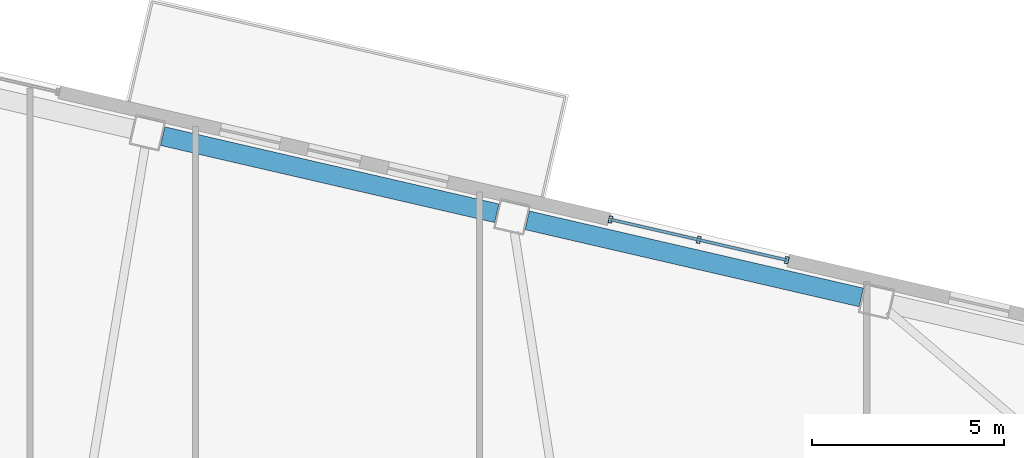
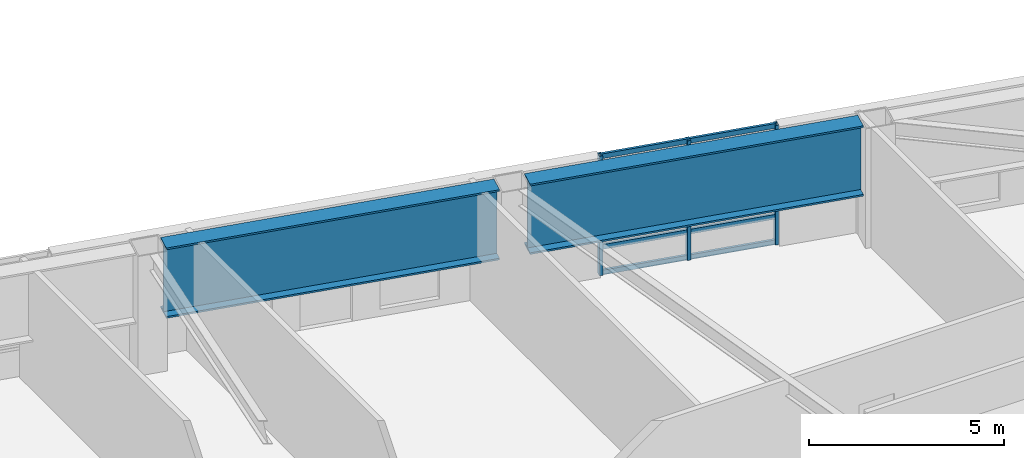
# One storey, part 7 of 20: 6 members, 2 beams, 1 element without a shape of its own.
"""IFC4 building model written with IfcOpenShell, lengths in metres."""

from ifc_helpers import new_model, si_unit, direction, frame, origin, origin_2d, place, context, subcontext, project, spatial, hollow_rectangle, i_section, extrude, material, layer, layer_set, material_profile, profile_set, type_object, element, aggregate, save


model = new_model("IFC4")

# Units and contexts
model_context = context("Model", 3, precision=1e-05, world=origin(), true_north=direction((0.0, 1.0)))
body_context = subcontext(model_context, "Body", "Model", "MODEL_VIEW")
ifc_project = project(units=[si_unit("LENGTHUNIT", "METRE"), si_unit("AREAUNIT", "SQUARE_METRE"), si_unit("VOLUMEUNIT", "CUBIC_METRE"), si_unit("PLANEANGLEUNIT", "RADIAN"), si_unit("MASSUNIT", "GRAM", prefix="KILO")], contexts=[model_context])

# Site, building, storey
site_placement = place(None, origin())
site = spatial("IfcSite", under=ifc_project, at=site_placement, CompositionType="ELEMENT")
building_placement = place(site_placement, origin())
building = spatial("IfcBuilding", under=site, at=building_placement, Name="Tavrogorsk Clinical Tower", CompositionType="ELEMENT")
storey_placement = place(building_placement, frame((0.0, 0.0, 39.39990234375)))
storey = spatial("IfcBuildingStorey", under=building, at=storey_placement, Name="L07", CompositionType="ELEMENT", Elevation=39.39990234375)

# Curtain wall, members
ifc_material_1 = material(Name="Anodised aluminium and triple IGU glazing", Category="aluminium")
ifc_layer = layer(ifc_material_1, 0.179931640625)
ifc_layer_set = layer_set([ifc_layer], Name="Anodised aluminium and triple IGU glazing")
curtain_wall_type = type_object("IfcCurtainWallType", Name="CW2_NorthSlot", PredefinedType="NOTDEFINED", material=ifc_layer_set)
curtain_wall_placement = place(storey_placement, origin())
curtain_wall = element("IfcCurtainWall", 1, at=curtain_wall_placement, inside=storey, type_object=curtain_wall_type, Name="L07 Curtain Wall CW-L07-N-SLOT-2", PredefinedType="NOTDEFINED")
ifc_material_2 = material(Name="Anodised aluminium alloy AW-6060", Category="aluminium")
ifc_material_profile_1 = material_profile(ifc_material_2, hollow_rectangle(XDim=0.090087890625, YDim=0.179931640625, WallThickness=0.00634765625, at=origin_2d()), Name="RHS-180x90x6.3")
ifc_profile_set_1 = profile_set([ifc_material_profile_1], Name="Anodised aluminium alloy AW-6060")
member_type_1 = type_object("IfcMemberType", Name="CwMullion_180x90", PredefinedType="MULLION", material=ifc_profile_set_1)
member_1_placement = place(storey_placement, frame((15.117919921875, 20.254638671875, 0.0), z_axis=(0.0, 0.0, 1.0), x_axis=(-0.974370046851, 0.224951132027, 0.0)))
member_1 = element("IfcMember", 2, at=member_1_placement, type_object=member_type_1, Name="CW-L07-N-SLOT-2 Mullion 1", PredefinedType="MULLION", context=body_context, shape_type="SweptSolid", body=[
    extrude(hollow_rectangle(XDim=0.090087890625, YDim=0.179931640625, WallThickness=0.00634765625, at=origin_2d()), origin(), (0.0, 0.0, 1.0), 3.739990234375),
])
member_2_placement = place(storey_placement, frame((12.8193359375, 20.78515625, 0.0), z_axis=(0.0, 0.0, 1.0), x_axis=(-0.974370046851, 0.224951132027, 0.0)))
member_2 = element("IfcMember", 3, at=member_2_placement, type_object=member_type_1, Name="CW-L07-N-SLOT-2 Mullion 2", PredefinedType="MULLION", context=body_context, shape_type="SweptSolid", body=[
    extrude(hollow_rectangle(XDim=0.090087890625, YDim=0.179931640625, WallThickness=0.00634765625, at=origin_2d()), origin(), (0.0, 0.0, 1.0), 3.739990234375),
])
member_3_placement = place(storey_placement, frame((10.520751953125, 21.31591796875, 0.0), z_axis=(0.0, 0.0, 1.0), x_axis=(-0.974370046851, 0.224951132027, 0.0)))
member_3 = element("IfcMember", 4, at=member_3_placement, type_object=member_type_1, Name="CW-L07-N-SLOT-2 Mullion 3", PredefinedType="MULLION", context=body_context, shape_type="SweptSolid", body=[
    extrude(hollow_rectangle(XDim=0.090087890625, YDim=0.179931640625, WallThickness=0.00634765625, at=origin_2d()), origin(), (0.0, 0.0, 1.0), 3.739990234375),
])
ifc_material_3 = material(Name="Anodised aluminium alloy AW-6060", Category="aluminium")
ifc_material_profile_2 = material_profile(ifc_material_3, hollow_rectangle(XDim=0.074951171875, YDim=0.14990234375, WallThickness=0.0048828125, at=origin_2d()), Name="RHS-150x75x5")
ifc_profile_set_2 = profile_set([ifc_material_profile_2], Name="Anodised aluminium alloy AW-6060")
member_type_2 = type_object("IfcMemberType", Name="CwTransom_150x75", PredefinedType="USERDEFINED", material=ifc_profile_set_2)
member_4_placement = place(storey_placement, frame((15.117919921875, 20.254638671875, 0.050048828125), z_axis=(-0.974372877948, 0.22493886885, 0.0), x_axis=(-0.22493886885, -0.974372877948, 0.0)))
member_4 = element("IfcMember", 5, at=member_4_placement, type_object=member_type_2, Name="CW-L07-N-SLOT-2 Transom 1", ObjectType="TRANSOM", PredefinedType="USERDEFINED", context=body_context, shape_type="SweptSolid", body=[
    extrude(hollow_rectangle(XDim=0.074951171875, YDim=0.14990234375, WallThickness=0.0048828125, at=origin_2d()), origin(), (0.0, 0.0, 1.0), 4.718017578125),
])
member_5_placement = place(storey_placement, frame((15.117919921875, 20.254638671875, 0.85009765625), z_axis=(-0.974372877948, 0.22493886885, 0.0), x_axis=(-0.22493886885, -0.974372877948, 0.0)))
member_5 = element("IfcMember", 6, at=member_5_placement, type_object=member_type_2, Name="CW-L07-N-SLOT-2 Transom 2", ObjectType="TRANSOM", PredefinedType="USERDEFINED", context=body_context, shape_type="SweptSolid", body=[
    extrude(hollow_rectangle(XDim=0.074951171875, YDim=0.14990234375, WallThickness=0.0048828125, at=origin_2d()), origin(), (0.0, 0.0, 1.0), 4.718017578125),
])
member_6_placement = place(storey_placement, frame((15.117919921875, 20.254638671875, 3.690185546875), z_axis=(-0.974372877948, 0.22493886885, 0.0), x_axis=(-0.22493886885, -0.974372877948, 0.0)))
member_6 = element("IfcMember", 7, at=member_6_placement, type_object=member_type_2, Name="CW-L07-N-SLOT-2 Transom 3", ObjectType="TRANSOM", PredefinedType="USERDEFINED", context=body_context, shape_type="SweptSolid", body=[
    extrude(hollow_rectangle(XDim=0.074951171875, YDim=0.14990234375, WallThickness=0.0048828125, at=origin_2d()), origin(), (0.0, 0.0, 1.0), 4.718017578125),
])
aggregate(curtain_wall, [member_1, member_2, member_3, member_4, member_5, member_6])

# Beams
ifc_material_4 = material(Name="Structural steel S440", Category="steel")
ifc_material_profile_3 = material_profile(ifc_material_4, i_section(OverallWidth=0.5, OverallDepth=2.199951171875, WebThickness=0.035888671875, FlangeThickness=0.054931640625, at=origin_2d()), Name="DK-2200x500x36x55")
ifc_profile_set_3 = profile_set([ifc_material_profile_3], Name="Structural steel S440")
beam_type = type_object("IfcBeamType", Name="TransferGirder_DK2200", PredefinedType="USERDEFINED", material=ifc_profile_set_3)
for number, where, z_axis, x_axis, name in (
    (8, (17.056396484375, 19.28369140625, 2.64013671875), (-0.974372766602, 0.224939351168, 0.0), (-0.224939351168, -0.974372766602, 0.0), "L07 Perimeter Spandrel N3-N4"),
    (9, (7.5576171875, 21.4765625, 2.64013671875), (-0.974366775889, 0.224965299645, 0.0), (-0.224965299645, -0.974366775889, 0.0), "L07 Perimeter Spandrel N4-N5"),
):
    element("IfcBeam", number, at=place(storey_placement, frame(where, z_axis=z_axis, x_axis=x_axis)), inside=storey, type_object=beam_type, Name=name, ObjectType="GIRDER", PredefinedType="USERDEFINED", context=body_context, shape_type="SweptSolid", body=[
        extrude(i_section(OverallWidth=0.5, OverallDepth=2.199951171875, WebThickness=0.035888671875, FlangeThickness=0.054931640625, at=origin_2d()), origin(), (0.0, 0.0, 1.0), 8.9326171875),
    ])

save(model, "model.ifc")
